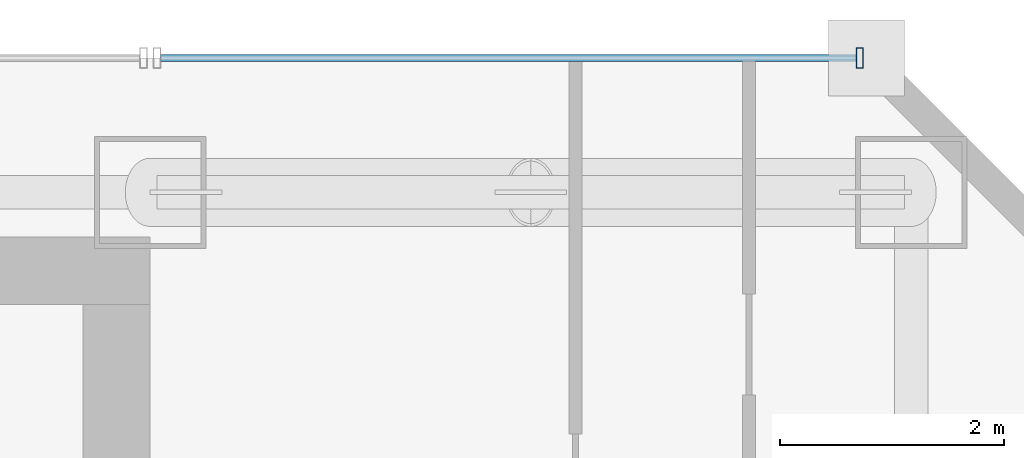
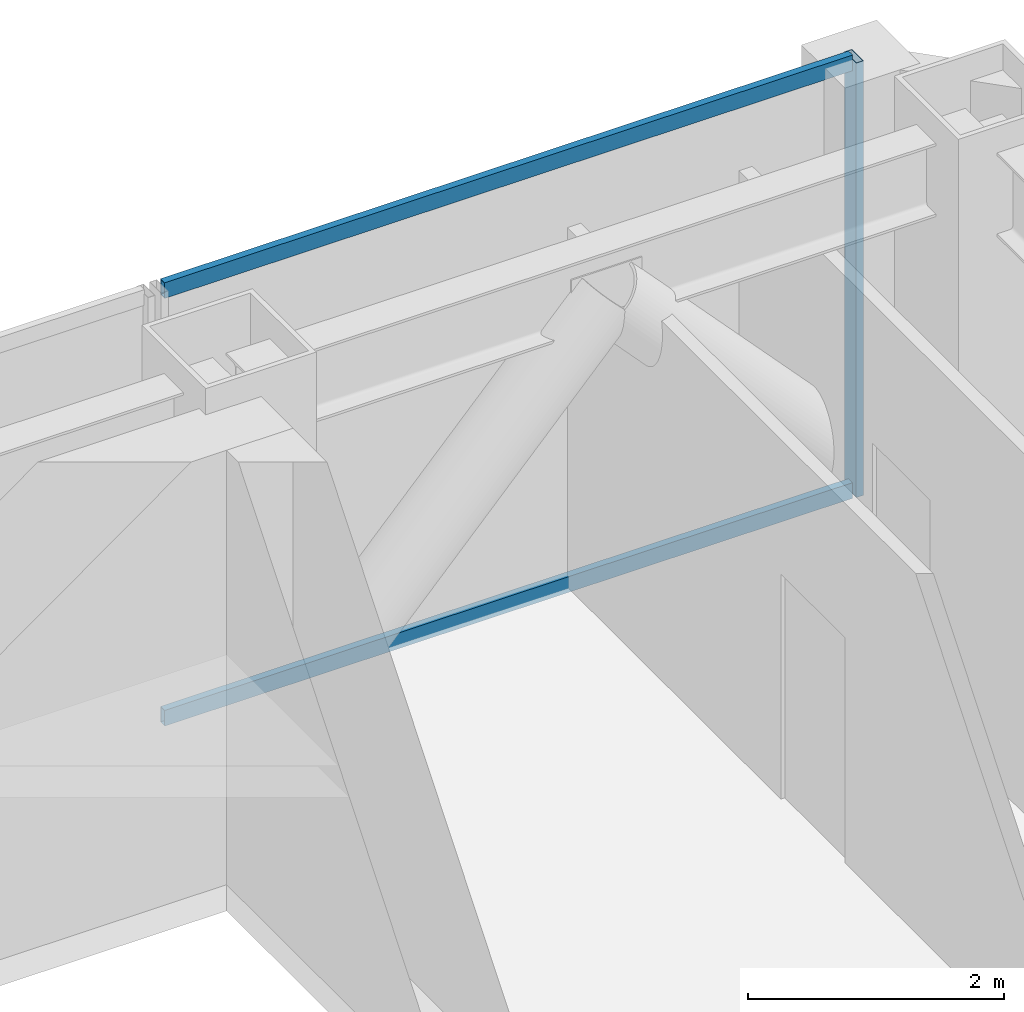
# One storey, part 29 of 37: 3 members, 1 element without a shape of its own.
"""IFC4 building model written with IfcOpenShell, lengths in metres."""

import ifcopenshell
import ifcopenshell.guid

model = None  # the IFC model being written
_history = None  # IfcOwnerHistory: only IFC2X3 demands one
_inside = {}  # id of a spatial element -> (the spatial element, [elements in it])
_under = {}  # id of a project, library or spatial element -> (it, [spatial elements below it])
_declared = {}  # id of a project -> (the project, [libraries it declares])
_typed = {}  # id of a type object -> (the type object, [elements of that type])
_made_of = {}  # id of a material, layer set ... -> (it, [elements and type objects made of it])


def new_model(schema):
    """Start an empty IFC model of exactly this schema.

    Asked for "IFC4X3", IfcOpenShell would pick the latest addendum, in which some entities
    have other attributes; the version numbers below select the first issue.
    IFC2X3 requires an IfcOwnerHistory on every rooted entity: one is made here for all.
    """
    global model, _history
    if schema == "IFC4X3":
        model = ifcopenshell.file(schema_version=(4, 3, 0, 0))
    else:
        model = ifcopenshell.file(schema=schema)
    _inside.clear()
    _under.clear()
    _declared.clear()
    _typed.clear()
    _made_of.clear()
    _history = None
    if model.schema == "IFC2X3":
        org = make("IfcOrganization", Name="unknown")
        user = make(
            "IfcPersonAndOrganization",
            ThePerson=make("IfcPerson", FamilyName="unknown"),
            TheOrganization=org,
        )
        app = make(
            "IfcApplication",
            ApplicationDeveloper=org,
            Version="unknown",
            ApplicationFullName="unknown",
            ApplicationIdentifier="unknown",
        )
        _history = make(
            "IfcOwnerHistory",
            OwningUser=user,
            OwningApplication=app,
            ChangeAction="ADDED",
            CreationDate=0,
        )
    return model


def make(cls, **values):
    """One entity of the class cls with the attributes given. An attribute that is None is left unset."""
    return model.create_entity(
        cls, **{name: value for name, value in values.items() if value is not None}
    )


def rooted(cls, **values):
    """An entity with a GlobalId (a new one), such as an element, a storey or a relation."""
    return make(cls, GlobalId=ifcopenshell.guid.new(), OwnerHistory=_history, **values)


def si_unit(unit_type, name, prefix=None):
    """IfcSIUnit, for example si_unit("LENGTHUNIT", "METRE", prefix="MILLI")."""
    return make("IfcSIUnit", UnitType=unit_type, Prefix=prefix, Name=name)


def assignment(units):
    """IfcUnitAssignment: the units of a project."""
    return None if units is None else make("IfcUnitAssignment", Units=units)


def point(xyz):
    """IfcCartesianPoint."""
    return None if xyz is None else make("IfcCartesianPoint", Coordinates=xyz)


def direction(xyz):
    """IfcDirection."""
    return None if xyz is None else make("IfcDirection", DirectionRatios=xyz)


def frame(location, z_axis=None, x_axis=None):
    """IfcAxis2Placement3D, a coordinate frame: its origin and axes. An axis left out is left unset."""
    return make(
        "IfcAxis2Placement3D",
        Location=point(location),
        Axis=direction(z_axis),
        RefDirection=direction(x_axis),
    )


def frame_2d(location, x_axis=None):
    """IfcAxis2Placement2D, a coordinate frame in the plane: its origin and x axis."""
    return make(
        "IfcAxis2Placement2D", Location=point(location), RefDirection=direction(x_axis)
    )


def origin():
    """The frame at (0, 0, 0) with its axes left unset."""
    return frame((0.0, 0.0, 0.0))


def origin_2d():
    """The frame at (0, 0) in the plane with its x axis left unset."""
    return frame_2d((0.0, 0.0))


def place(relative_to, where):
    """IfcLocalPlacement: puts the frame where relative to a parent placement (None: the world)."""
    return make(
        "IfcLocalPlacement", PlacementRelTo=relative_to, RelativePlacement=where
    )


def context(
    kind, dimensions, precision=None, world=None, true_north=None, identifier=None
):
    """IfcGeometricRepresentationContext, for example the 3D "Model" context."""
    return make(
        "IfcGeometricRepresentationContext",
        ContextIdentifier=identifier,
        ContextType=kind,
        CoordinateSpaceDimension=dimensions,
        Precision=precision,
        WorldCoordinateSystem=world,
        TrueNorth=true_north,
    )


def subcontext(parent, identifier, kind, view, scale=None):
    """IfcGeometricRepresentationSubContext, for example "Body" below "Model"."""
    return make(
        "IfcGeometricRepresentationSubContext",
        ContextIdentifier=identifier,
        ContextType=kind,
        ParentContext=parent,
        TargetScale=scale,
        TargetView=view,
    )


def project(units=None, contexts=None):
    """IfcProject with its units and contexts."""
    return rooted(
        "IfcProject",
        Name="project",
        RepresentationContexts=contexts,
        UnitsInContext=assignment(units),
    )


def spatial(cls, under=None, at=None, **own):
    """A site, building, storey or space (cls), placed at a placement, below another one or the project."""
    s = rooted(cls, ObjectPlacement=at, **own)
    if under is not None:
        _under.setdefault(under.id(), (under, []))[1].append(s)
    return s


def profile(cls, at=None, kind="AREA", **sizes):
    """A parametric profile (cls). Its sizes go by their IFC names, for example OverallWidth=200.0."""
    return make(cls, ProfileType=kind, Position=at, **sizes)


def hollow_rectangle(**sizes):
    """IfcRectangleHollowProfileDef."""
    return profile("IfcRectangleHollowProfileDef", **sizes)


def extrude(swept, where, along, depth):
    """IfcExtrudedAreaSolid: the profile swept, set in the frame where, extruded along a direction by depth."""
    return make(
        "IfcExtrudedAreaSolid",
        SweptArea=swept,
        Position=where,
        ExtrudedDirection=direction(along),
        Depth=depth,
    )


def shape(context_of_items, identifier, shape_type, items):
    """IfcShapeRepresentation: the items that make up one representation, for example the "Body"."""
    return make(
        "IfcShapeRepresentation",
        ContextOfItems=context_of_items,
        RepresentationIdentifier=identifier,
        RepresentationType=shape_type,
        Items=items,
    )


def material(Name=None, Category=None):
    """IfcMaterial."""
    return make("IfcMaterial", Name=Name, Category=Category)


def material_profile(
    of_material, cross_section, Name=None, Category=None, Priority=None
):
    """IfcMaterialProfile: a cross section and its material."""
    return make(
        "IfcMaterialProfile",
        Name=Name,
        Material=of_material,
        Profile=cross_section,
        Priority=Priority,
        Category=Category,
    )


def profile_set(profiles, Name=None, composite=None):
    """IfcMaterialProfileSet."""
    return make(
        "IfcMaterialProfileSet",
        Name=Name,
        MaterialProfiles=profiles,
        CompositeProfile=composite,
    )


def made_of(thing, what):
    """Note that an element or type object is made of a material, layer set ...; save() writes the relation."""
    if what is not None:
        _made_of.setdefault(what.id(), (what, []))[1].append(thing)
    return thing


def type_object(cls, material=None, **own):
    """A type object (cls), such as IfcWallType, which elements share."""
    return made_of(rooted(cls, **own), material)


def element(
    cls,
    number,
    at=None,
    inside=None,
    cuts=None,
    type_object=None,
    material=None,
    context=None,
    identifier="Body",
    shape_type=None,
    held_by="IfcProductDefinitionShape",
    body=None,
    shapes=None,
    **own,
):
    """One element of the class cls, such as IfcWall. Its Tag is "e" and its number.

    at: its placement. inside: the storey or other place that contains it. cuts: it is an
    opening in that element (IfcRelVoidsElement). A single representation is given by context,
    identifier, shape_type and body (its items); several are given by shapes. held_by: the class
    of the entity that holds the representations. save() writes the other relations.
    """
    e = rooted(cls, Tag="e%d" % number, ObjectPlacement=at, **own)
    if body is not None:
        shapes = [shape(context, identifier, shape_type, body)]
    if shapes is not None:
        e.Representation = make(held_by, Representations=shapes)
    if inside is not None:
        _inside.setdefault(inside.id(), (inside, []))[1].append(e)
    if cuts is not None:
        rooted(
            "IfcRelVoidsElement", RelatingBuildingElement=cuts, RelatedOpeningElement=e
        )
    if type_object is not None:
        _typed.setdefault(type_object.id(), (type_object, []))[1].append(e)
    return made_of(e, material)


def aggregate(whole, parts):
    """IfcRelAggregates: a whole, such as a stair, and the parts it consists of."""
    return rooted("IfcRelAggregates", RelatingObject=whole, RelatedObjects=parts)


def save(model, path):
    """Write the relations noted so far, then the file.

    IfcRelAggregates (storeys below a building ...), IfcRelContainedInSpatialStructure (elements
    in a storey), IfcRelDefinesByType, IfcRelAssociatesMaterial and IfcRelDeclares: one each for
    every whole, place, type object, material and project.
    """
    for whole, parts in _under.values():
        aggregate(whole, parts)
    for where, things in _inside.values():
        rooted(
            "IfcRelContainedInSpatialStructure",
            RelatedElements=things,
            RelatingStructure=where,
        )
    for kind, things in _typed.values():
        rooted("IfcRelDefinesByType", RelatedObjects=things, RelatingType=kind)
    for what, things in _made_of.values():
        rooted("IfcRelAssociatesMaterial", RelatedObjects=things, RelatingMaterial=what)
    for by, libraries in _declared.values():
        rooted("IfcRelDeclares", RelatingContext=by, RelatedDefinitions=libraries)
    model.write(path)


model = new_model("IFC4")

# Units and contexts
model_context = context("Model", 3, precision=1e-05, world=origin(), true_north=direction((0.0, 1.0)))
body_context = subcontext(model_context, "Body", "Model", "MODEL_VIEW")
ifc_project = project(units=[si_unit("LENGTHUNIT", "METRE"), si_unit("AREAUNIT", "SQUARE_METRE"), si_unit("VOLUMEUNIT", "CUBIC_METRE"), si_unit("PLANEANGLEUNIT", "RADIAN"), si_unit("MASSUNIT", "GRAM", prefix="KILO")], contexts=[model_context])

# Site, building, storey
site_placement = place(None, origin())
site = spatial("IfcSite", under=ifc_project, at=site_placement, CompositionType="ELEMENT")
building_placement = place(site_placement, origin())
building = spatial("IfcBuilding", under=site, at=building_placement, Name="Saevonmaru Cultural Tower", CompositionType="ELEMENT")
storey_placement = place(building_placement, frame((0.0, 0.0, 110.39990234375)))
storey = spatial("IfcBuildingStorey", under=building, at=storey_placement, Name="L23", CompositionType="ELEMENT", Elevation=110.39990234375)

# Curtain wall, members
ifc_material = material(Name="Satin Bronze Anodised Aluminium", Category="aluminium")
curtain_wall_type = type_object("IfcCurtainWallType", Name="CW-TYP-A", PredefinedType="NOTDEFINED", material=ifc_material)
curtain_wall_placement = place(storey_placement, origin())
curtain_wall = element("IfcCurtainWall", 1, at=curtain_wall_placement, inside=storey, type_object=curtain_wall_type, Name="L23 East Braced Bay Spandrel Curtain Wall E10A", PredefinedType="NOTDEFINED")
ifc_material_profile_1 = material_profile(ifc_material, hollow_rectangle(XDim=0.06494140625, YDim=0.179931640625, WallThickness=0.00390625, at=origin_2d()), Name="ALU-MULL-180x65x4")
ifc_profile_set_1 = profile_set([ifc_material_profile_1], Name="Satin Bronze Anodised Aluminium")
member_type_1 = type_object("IfcMemberType", Name="ML-CW-180x65", PredefinedType="MULLION", material=ifc_profile_set_1)
member_1_placement = place(storey_placement, frame((52.739990234375, 56.0, 0.0), z_axis=(0.0, 0.0, 1.0), x_axis=(-1.0, 0.0, 0.0)))
member_1 = element("IfcMember", 2, at=member_1_placement, type_object=member_type_1, Name="CW-TW-L23-E10A mullion 1", PredefinedType="MULLION", context=body_context, shape_type="SweptSolid", body=[
    extrude(hollow_rectangle(XDim=0.06494140625, YDim=0.179931640625, WallThickness=0.00390625, at=origin_2d()), origin(), (0.0, 0.0, 1.0), 4.150146484375),
])
ifc_material_profile_2 = material_profile(ifc_material, hollow_rectangle(XDim=0.06494140625, YDim=0.14990234375, WallThickness=0.00390625, at=origin_2d()), Name="ALU-TRAN-150x65x4")
ifc_profile_set_2 = profile_set([ifc_material_profile_2], Name="Satin Bronze Anodised Aluminium")
member_type_2 = type_object("IfcMemberType", Name="TR-CW-150x65", PredefinedType="USERDEFINED", material=ifc_profile_set_2)
member_2_placement = place(storey_placement, frame((52.70751953125, 56.0, 0.03271484375), z_axis=(-1.0, 0.0, 0.0), x_axis=(0.0, -1.0, 0.0)))
member_2 = element("IfcMember", 3, at=member_2_placement, type_object=member_type_2, Name="CW-TW-L23-E10A transom 1.1", ObjectType="TRANSOM", PredefinedType="USERDEFINED", context=body_context, shape_type="SweptSolid", body=[
    extrude(hollow_rectangle(XDim=0.06494140625, YDim=0.14990234375, WallThickness=0.00390625, at=origin_2d()), origin(), (0.0, 0.0, 1.0), 6.215087890625),
])
member_3_placement = place(storey_placement, frame((52.70751953125, 56.0, 4.11767578125), z_axis=(-1.0, 0.0, 0.0), x_axis=(0.0, -1.0, 0.0)))
member_3 = element("IfcMember", 4, at=member_3_placement, type_object=member_type_2, Name="CW-TW-L23-E10A transom 1.2", ObjectType="TRANSOM", PredefinedType="USERDEFINED", context=body_context, shape_type="SweptSolid", body=[
    extrude(hollow_rectangle(XDim=0.06494140625, YDim=0.14990234375, WallThickness=0.00390625, at=origin_2d()), origin(), (0.0, 0.0, 1.0), 6.215087890625),
])
aggregate(curtain_wall, [member_1, member_2, member_3])

save(model, "model.ifc")
